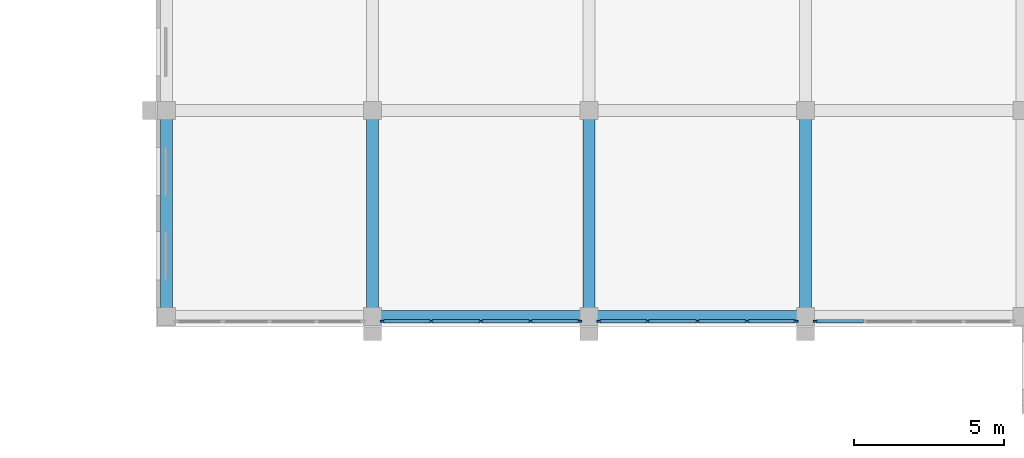
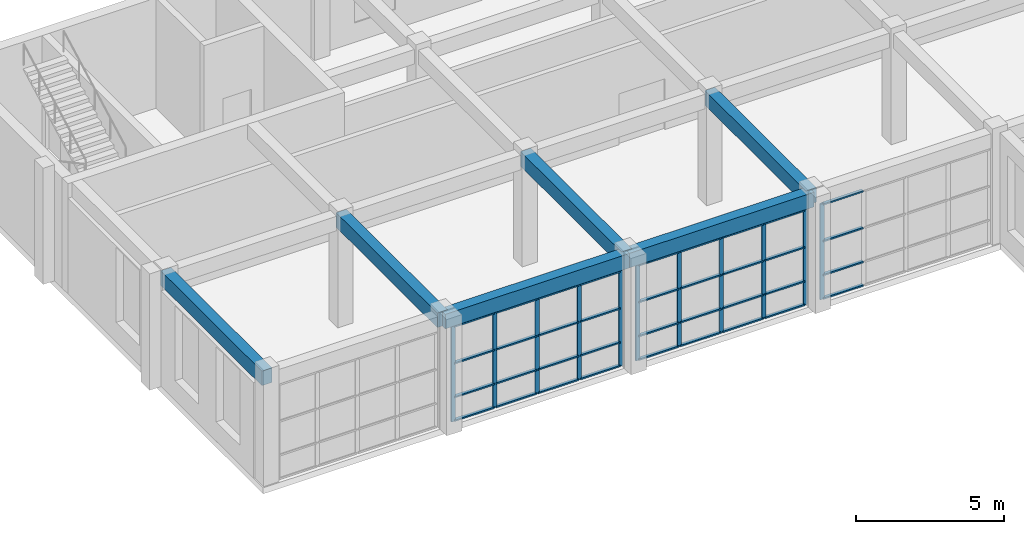
# One storey, part 103 of 149: 47 members, 6 beams, 3 elements without a shape of their own.
"""IFC4 building model written with IfcOpenShell, lengths in metres."""

from ifc_helpers import new_model, si_unit, direction, frame, origin, origin_2d, place, context, subcontext, project, spatial, rectangle, extrude, material, material_profile, profile_set, type_object, element, aggregate, save


model = new_model("IFC4")

# Units and contexts
model_context = context("Model", 3, precision=1e-05, world=origin(), true_north=direction((0.0, 1.0)))
body_context = subcontext(model_context, "Body", "Model", "MODEL_VIEW")
ifc_project = project(units=[si_unit("LENGTHUNIT", "METRE"), si_unit("AREAUNIT", "SQUARE_METRE"), si_unit("VOLUMEUNIT", "CUBIC_METRE"), si_unit("PLANEANGLEUNIT", "RADIAN"), si_unit("MASSUNIT", "GRAM", prefix="KILO")], contexts=[model_context])

# Site, building, storey
site_placement = place(None, origin())
site = spatial("IfcSite", under=ifc_project, at=site_placement, CompositionType="ELEMENT")
building_placement = place(site_placement, origin())
building = spatial("IfcBuilding", under=site, at=building_placement, Name="Alderwick Market Hall", CompositionType="ELEMENT")
storey_placement = place(building_placement, frame((0.0, 0.0, 9.60009765625)))
storey = spatial("IfcBuildingStorey", under=building, at=storey_placement, Name="L01", CompositionType="ELEMENT", Elevation=9.60009765625)

# Curtain wall, members
ifc_material_1 = material(Name="F Curtain Wall 1800 module")
curtain_wall_type = type_object("IfcCurtainWallType", Name="F Curtain Wall 1800 module", PredefinedType="NOTDEFINED", material=ifc_material_1)
curtain_wall_1_placement = place(storey_placement, origin())
curtain_wall_1 = element("IfcCurtainWall", 1, at=curtain_wall_1_placement, inside=storey, type_object=curtain_wall_type, Name="F.cw.L01.02", PredefinedType="NOTDEFINED")
ifc_material_2 = material(Name="Aluminium alloy 6063-T6", Category="aluminium")
ifc_material_profile_1 = material_profile(ifc_material_2, rectangle(XDim=0.06005859375, YDim=0.159912109375, at=origin_2d()), Name="AL 60x160")
ifc_profile_set_1 = profile_set([ifc_material_profile_1], Name="Aluminium alloy 6063-T6")
member_type_1 = type_object("IfcMemberType", Name="F Curtain Wall Mullion 60x160", PredefinedType="MULLION", material=ifc_profile_set_1)
member_1_placement = place(storey_placement, frame((172.469970703125, 129.800048828125, 0.0), z_axis=(0.0, 0.0, 1.0), x_axis=(0.0, -1.0, 0.0)))
member_1 = element("IfcMember", 2, at=member_1_placement, type_object=member_type_1, Name="F-CW mullion 1", PredefinedType="MULLION", context=body_context, shape_type="SweptSolid", body=[
    extrude(rectangle(XDim=0.06005859375, YDim=0.159912109375, at=origin_2d()), origin(), (0.0, 0.0, 1.0), 3.949951171875),
])
member_2_placement = place(storey_placement, frame((170.85009765625, 129.800048828125, 0.0), z_axis=(0.0, 0.0, 1.0), x_axis=(0.0, -1.0, 0.0)))
member_2 = element("IfcMember", 3, at=member_2_placement, type_object=member_type_1, Name="F-CW mullion 2", PredefinedType="MULLION", context=body_context, shape_type="SweptSolid", body=[
    extrude(rectangle(XDim=0.06005859375, YDim=0.159912109375, at=origin_2d()), origin(), (0.0, 0.0, 1.0), 3.949951171875),
])
member_3_placement = place(storey_placement, frame((169.199951171875, 129.800048828125, 0.0), z_axis=(0.0, 0.0, 1.0), x_axis=(0.0, -1.0, 0.0)))
member_3 = element("IfcMember", 4, at=member_3_placement, type_object=member_type_1, Name="F-CW mullion 3", PredefinedType="MULLION", context=body_context, shape_type="SweptSolid", body=[
    extrude(rectangle(XDim=0.06005859375, YDim=0.159912109375, at=origin_2d()), origin(), (0.0, 0.0, 1.0), 3.949951171875),
])
member_4_placement = place(storey_placement, frame((167.550048828125, 129.800048828125, 0.0), z_axis=(0.0, 0.0, 1.0), x_axis=(0.0, -1.0, 0.0)))
member_4 = element("IfcMember", 5, at=member_4_placement, type_object=member_type_1, Name="F-CW mullion 4", PredefinedType="MULLION", context=body_context, shape_type="SweptSolid", body=[
    extrude(rectangle(XDim=0.06005859375, YDim=0.159912109375, at=origin_2d()), origin(), (0.0, 0.0, 1.0), 3.949951171875),
])
member_5_placement = place(storey_placement, frame((165.929931640625, 129.800048828125, 0.0), z_axis=(0.0, 0.0, 1.0), x_axis=(0.0, -1.0, 0.0)))
member_5 = element("IfcMember", 6, at=member_5_placement, type_object=member_type_1, Name="F-CW mullion 5", PredefinedType="MULLION", context=body_context, shape_type="SweptSolid", body=[
    extrude(rectangle(XDim=0.06005859375, YDim=0.159912109375, at=origin_2d()), origin(), (0.0, 0.0, 1.0), 3.949951171875),
])

curtain_wall_2_placement = place(storey_placement, origin())
curtain_wall_2 = element("IfcCurtainWall", 7, at=curtain_wall_2_placement, inside=storey, type_object=curtain_wall_type, Name="F.cw.L01.03", PredefinedType="NOTDEFINED")
member_6_placement = place(storey_placement, frame((179.669921875, 129.800048828125, 0.0), z_axis=(0.0, 0.0, 1.0), x_axis=(0.0, -1.0, 0.0)))
member_6 = element("IfcMember", 8, at=member_6_placement, type_object=member_type_1, Name="F-CW mullion 1", PredefinedType="MULLION", context=body_context, shape_type="SweptSolid", body=[
    extrude(rectangle(XDim=0.06005859375, YDim=0.159912109375, at=origin_2d()), origin(), (0.0, 0.0, 1.0), 3.949951171875),
])
member_7_placement = place(storey_placement, frame((178.050048828125, 129.800048828125, 0.0), z_axis=(0.0, 0.0, 1.0), x_axis=(0.0, -1.0, 0.0)))
member_7 = element("IfcMember", 9, at=member_7_placement, type_object=member_type_1, Name="F-CW mullion 2", PredefinedType="MULLION", context=body_context, shape_type="SweptSolid", body=[
    extrude(rectangle(XDim=0.06005859375, YDim=0.159912109375, at=origin_2d()), origin(), (0.0, 0.0, 1.0), 3.949951171875),
])
member_8_placement = place(storey_placement, frame((176.39990234375, 129.800048828125, 0.0), z_axis=(0.0, 0.0, 1.0), x_axis=(0.0, -1.0, 0.0)))
member_8 = element("IfcMember", 10, at=member_8_placement, type_object=member_type_1, Name="F-CW mullion 3", PredefinedType="MULLION", context=body_context, shape_type="SweptSolid", body=[
    extrude(rectangle(XDim=0.06005859375, YDim=0.159912109375, at=origin_2d()), origin(), (0.0, 0.0, 1.0), 3.949951171875),
])
member_9_placement = place(storey_placement, frame((174.75, 129.800048828125, 0.0), z_axis=(0.0, 0.0, 1.0), x_axis=(0.0, -1.0, 0.0)))
member_9 = element("IfcMember", 11, at=member_9_placement, type_object=member_type_1, Name="F-CW mullion 4", PredefinedType="MULLION", context=body_context, shape_type="SweptSolid", body=[
    extrude(rectangle(XDim=0.06005859375, YDim=0.159912109375, at=origin_2d()), origin(), (0.0, 0.0, 1.0), 3.949951171875),
])
member_10_placement = place(storey_placement, frame((173.1298828125, 129.800048828125, 0.0), z_axis=(0.0, 0.0, 1.0), x_axis=(0.0, -1.0, 0.0)))
member_10 = element("IfcMember", 12, at=member_10_placement, type_object=member_type_1, Name="F-CW mullion 5", PredefinedType="MULLION", context=body_context, shape_type="SweptSolid", body=[
    extrude(rectangle(XDim=0.06005859375, YDim=0.159912109375, at=origin_2d()), origin(), (0.0, 0.0, 1.0), 3.949951171875),
])

# Curtain wall, member
curtain_wall_3_placement = place(storey_placement, origin())
curtain_wall_3 = element("IfcCurtainWall", 13, at=curtain_wall_3_placement, inside=storey, type_object=curtain_wall_type, Name="F.cw.L01.04", PredefinedType="NOTDEFINED")
member_11_placement = place(storey_placement, frame((180.330078125, 129.800048828125, 0.0), z_axis=(0.0, 0.0, 1.0), x_axis=(0.0, -1.0, 0.0)))
member_11 = element("IfcMember", 14, at=member_11_placement, type_object=member_type_1, Name="F-CW mullion 5", PredefinedType="MULLION", context=body_context, shape_type="SweptSolid", body=[
    extrude(rectangle(XDim=0.06005859375, YDim=0.159912109375, at=origin_2d()), origin(), (0.0, 0.0, 1.0), 3.949951171875),
])

# Member
ifc_material_profile_2 = material_profile(ifc_material_2, rectangle(XDim=0.1201171875, YDim=0.06005859375, at=origin_2d()), Name="AL 60x120")
ifc_profile_set_2 = profile_set([ifc_material_profile_2], Name="Aluminium alloy 6063-T6")
member_type_2 = type_object("IfcMemberType", Name="F Curtain Wall Transom 60x120", PredefinedType="USERDEFINED", material=ifc_profile_set_2)
member_12_placement = place(storey_placement, frame((172.43994140625, 129.800048828125, 0.02978515625), z_axis=(-1.0, 0.0, 0.0), x_axis=(0.0, -1.0, 0.0)))
member_12 = element("IfcMember", 15, at=member_12_placement, type_object=member_type_2, Name="F-CW transom 1.1", ObjectType="TRANSOM", PredefinedType="USERDEFINED", context=body_context, shape_type="SweptSolid", body=[
    extrude(rectangle(XDim=0.1201171875, YDim=0.06005859375, at=origin_2d()), origin(), (0.0, 0.0, 1.0), 1.56005859375),
])

member_13_placement = place(storey_placement, frame((172.43994140625, 129.800048828125, 1.0), z_axis=(-1.0, 0.0, 0.0), x_axis=(0.0, -1.0, 0.0)))
member_13 = element("IfcMember", 16, at=member_13_placement, type_object=member_type_2, Name="F-CW transom 1.2", ObjectType="TRANSOM", PredefinedType="USERDEFINED", context=body_context, shape_type="SweptSolid", body=[
    extrude(rectangle(XDim=0.1201171875, YDim=0.06005859375, at=origin_2d()), origin(), (0.0, 0.0, 1.0), 1.56005859375),
])

member_14_placement = place(storey_placement, frame((172.43994140625, 129.800048828125, 2.39990234375), z_axis=(-1.0, 0.0, 0.0), x_axis=(0.0, -1.0, 0.0)))
member_14 = element("IfcMember", 17, at=member_14_placement, type_object=member_type_2, Name="F-CW transom 1.3", ObjectType="TRANSOM", PredefinedType="USERDEFINED", context=body_context, shape_type="SweptSolid", body=[
    extrude(rectangle(XDim=0.1201171875, YDim=0.06005859375, at=origin_2d()), origin(), (0.0, 0.0, 1.0), 1.56005859375),
])

member_15_placement = place(storey_placement, frame((172.43994140625, 129.800048828125, 3.919921875), z_axis=(-1.0, 0.0, 0.0), x_axis=(0.0, -1.0, 0.0)))
member_15 = element("IfcMember", 18, at=member_15_placement, type_object=member_type_2, Name="F-CW transom 1.4", ObjectType="TRANSOM", PredefinedType="USERDEFINED", context=body_context, shape_type="SweptSolid", body=[
    extrude(rectangle(XDim=0.1201171875, YDim=0.06005859375, at=origin_2d()), origin(), (0.0, 0.0, 1.0), 1.56005859375),
])

member_16_placement = place(storey_placement, frame((170.820068359375, 129.800048828125, 0.02978515625), z_axis=(-1.0, 0.0, 0.0), x_axis=(0.0, -1.0, 0.0)))
member_16 = element("IfcMember", 19, at=member_16_placement, type_object=member_type_2, Name="F-CW transom 2.1", ObjectType="TRANSOM", PredefinedType="USERDEFINED", context=body_context, shape_type="SweptSolid", body=[
    extrude(rectangle(XDim=0.1201171875, YDim=0.06005859375, at=origin_2d()), origin(), (0.0, 0.0, 1.0), 1.590087890625),
])

member_17_placement = place(storey_placement, frame((170.820068359375, 129.800048828125, 1.0), z_axis=(-1.0, 0.0, 0.0), x_axis=(0.0, -1.0, 0.0)))
member_17 = element("IfcMember", 20, at=member_17_placement, type_object=member_type_2, Name="F-CW transom 2.2", ObjectType="TRANSOM", PredefinedType="USERDEFINED", context=body_context, shape_type="SweptSolid", body=[
    extrude(rectangle(XDim=0.1201171875, YDim=0.06005859375, at=origin_2d()), origin(), (0.0, 0.0, 1.0), 1.590087890625),
])

member_18_placement = place(storey_placement, frame((170.820068359375, 129.800048828125, 2.39990234375), z_axis=(-1.0, 0.0, 0.0), x_axis=(0.0, -1.0, 0.0)))
member_18 = element("IfcMember", 21, at=member_18_placement, type_object=member_type_2, Name="F-CW transom 2.3", ObjectType="TRANSOM", PredefinedType="USERDEFINED", context=body_context, shape_type="SweptSolid", body=[
    extrude(rectangle(XDim=0.1201171875, YDim=0.06005859375, at=origin_2d()), origin(), (0.0, 0.0, 1.0), 1.590087890625),
])

member_19_placement = place(storey_placement, frame((170.820068359375, 129.800048828125, 3.919921875), z_axis=(-1.0, 0.0, 0.0), x_axis=(0.0, -1.0, 0.0)))
member_19 = element("IfcMember", 22, at=member_19_placement, type_object=member_type_2, Name="F-CW transom 2.4", ObjectType="TRANSOM", PredefinedType="USERDEFINED", context=body_context, shape_type="SweptSolid", body=[
    extrude(rectangle(XDim=0.1201171875, YDim=0.06005859375, at=origin_2d()), origin(), (0.0, 0.0, 1.0), 1.590087890625),
])

member_20_placement = place(storey_placement, frame((169.169921875, 129.800048828125, 0.02978515625), z_axis=(-1.0, 0.0, 0.0), x_axis=(0.0, -1.0, 0.0)))
member_20 = element("IfcMember", 23, at=member_20_placement, type_object=member_type_2, Name="F-CW transom 3.1", ObjectType="TRANSOM", PredefinedType="USERDEFINED", context=body_context, shape_type="SweptSolid", body=[
    extrude(rectangle(XDim=0.1201171875, YDim=0.06005859375, at=origin_2d()), origin(), (0.0, 0.0, 1.0), 1.58984375),
])

member_21_placement = place(storey_placement, frame((169.169921875, 129.800048828125, 1.0), z_axis=(-1.0, 0.0, 0.0), x_axis=(0.0, -1.0, 0.0)))
member_21 = element("IfcMember", 24, at=member_21_placement, type_object=member_type_2, Name="F-CW transom 3.2", ObjectType="TRANSOM", PredefinedType="USERDEFINED", context=body_context, shape_type="SweptSolid", body=[
    extrude(rectangle(XDim=0.1201171875, YDim=0.06005859375, at=origin_2d()), origin(), (0.0, 0.0, 1.0), 1.58984375),
])

member_22_placement = place(storey_placement, frame((169.169921875, 129.800048828125, 2.39990234375), z_axis=(-1.0, 0.0, 0.0), x_axis=(0.0, -1.0, 0.0)))
member_22 = element("IfcMember", 25, at=member_22_placement, type_object=member_type_2, Name="F-CW transom 3.3", ObjectType="TRANSOM", PredefinedType="USERDEFINED", context=body_context, shape_type="SweptSolid", body=[
    extrude(rectangle(XDim=0.1201171875, YDim=0.06005859375, at=origin_2d()), origin(), (0.0, 0.0, 1.0), 1.58984375),
])

member_23_placement = place(storey_placement, frame((169.169921875, 129.800048828125, 3.919921875), z_axis=(-1.0, 0.0, 0.0), x_axis=(0.0, -1.0, 0.0)))
member_23 = element("IfcMember", 26, at=member_23_placement, type_object=member_type_2, Name="F-CW transom 3.4", ObjectType="TRANSOM", PredefinedType="USERDEFINED", context=body_context, shape_type="SweptSolid", body=[
    extrude(rectangle(XDim=0.1201171875, YDim=0.06005859375, at=origin_2d()), origin(), (0.0, 0.0, 1.0), 1.58984375),
])

member_24_placement = place(storey_placement, frame((167.52001953125, 129.800048828125, 0.02978515625), z_axis=(-1.0, 0.0, 0.0), x_axis=(0.0, -1.0, 0.0)))
member_24 = element("IfcMember", 27, at=member_24_placement, type_object=member_type_2, Name="F-CW transom 4.1", ObjectType="TRANSOM", PredefinedType="USERDEFINED", context=body_context, shape_type="SweptSolid", body=[
    extrude(rectangle(XDim=0.1201171875, YDim=0.06005859375, at=origin_2d()), origin(), (0.0, 0.0, 1.0), 1.56005859375),
])

member_25_placement = place(storey_placement, frame((167.52001953125, 129.800048828125, 1.0), z_axis=(-1.0, 0.0, 0.0), x_axis=(0.0, -1.0, 0.0)))
member_25 = element("IfcMember", 28, at=member_25_placement, type_object=member_type_2, Name="F-CW transom 4.2", ObjectType="TRANSOM", PredefinedType="USERDEFINED", context=body_context, shape_type="SweptSolid", body=[
    extrude(rectangle(XDim=0.1201171875, YDim=0.06005859375, at=origin_2d()), origin(), (0.0, 0.0, 1.0), 1.56005859375),
])

member_26_placement = place(storey_placement, frame((167.52001953125, 129.800048828125, 2.39990234375), z_axis=(-1.0, 0.0, 0.0), x_axis=(0.0, -1.0, 0.0)))
member_26 = element("IfcMember", 29, at=member_26_placement, type_object=member_type_2, Name="F-CW transom 4.3", ObjectType="TRANSOM", PredefinedType="USERDEFINED", context=body_context, shape_type="SweptSolid", body=[
    extrude(rectangle(XDim=0.1201171875, YDim=0.06005859375, at=origin_2d()), origin(), (0.0, 0.0, 1.0), 1.56005859375),
])

member_27_placement = place(storey_placement, frame((167.52001953125, 129.800048828125, 3.919921875), z_axis=(-1.0, 0.0, 0.0), x_axis=(0.0, -1.0, 0.0)))
member_27 = element("IfcMember", 30, at=member_27_placement, type_object=member_type_2, Name="F-CW transom 4.4", ObjectType="TRANSOM", PredefinedType="USERDEFINED", context=body_context, shape_type="SweptSolid", body=[
    extrude(rectangle(XDim=0.1201171875, YDim=0.06005859375, at=origin_2d()), origin(), (0.0, 0.0, 1.0), 1.56005859375),
])

aggregate(curtain_wall_1, [member_1, member_2, member_3, member_4, member_5, member_12, member_13, member_14, member_15, member_16, member_17, member_18, member_19, member_20, member_21, member_22, member_23, member_24, member_25, member_26, member_27])

member_28_placement = place(storey_placement, frame((179.639892578125, 129.800048828125, 0.02978515625), z_axis=(-1.0, 0.0, 0.0), x_axis=(0.0, -1.0, 0.0)))
member_28 = element("IfcMember", 31, at=member_28_placement, type_object=member_type_2, Name="F-CW transom 1.1", ObjectType="TRANSOM", PredefinedType="USERDEFINED", context=body_context, shape_type="SweptSolid", body=[
    extrude(rectangle(XDim=0.1201171875, YDim=0.06005859375, at=origin_2d()), origin(), (0.0, 0.0, 1.0), 1.559814453125),
])

member_29_placement = place(storey_placement, frame((179.639892578125, 129.800048828125, 1.0), z_axis=(-1.0, 0.0, 0.0), x_axis=(0.0, -1.0, 0.0)))
member_29 = element("IfcMember", 32, at=member_29_placement, type_object=member_type_2, Name="F-CW transom 1.2", ObjectType="TRANSOM", PredefinedType="USERDEFINED", context=body_context, shape_type="SweptSolid", body=[
    extrude(rectangle(XDim=0.1201171875, YDim=0.06005859375, at=origin_2d()), origin(), (0.0, 0.0, 1.0), 1.559814453125),
])

member_30_placement = place(storey_placement, frame((179.639892578125, 129.800048828125, 2.39990234375), z_axis=(-1.0, 0.0, 0.0), x_axis=(0.0, -1.0, 0.0)))
member_30 = element("IfcMember", 33, at=member_30_placement, type_object=member_type_2, Name="F-CW transom 1.3", ObjectType="TRANSOM", PredefinedType="USERDEFINED", context=body_context, shape_type="SweptSolid", body=[
    extrude(rectangle(XDim=0.1201171875, YDim=0.06005859375, at=origin_2d()), origin(), (0.0, 0.0, 1.0), 1.559814453125),
])

member_31_placement = place(storey_placement, frame((179.639892578125, 129.800048828125, 3.919921875), z_axis=(-1.0, 0.0, 0.0), x_axis=(0.0, -1.0, 0.0)))
member_31 = element("IfcMember", 34, at=member_31_placement, type_object=member_type_2, Name="F-CW transom 1.4", ObjectType="TRANSOM", PredefinedType="USERDEFINED", context=body_context, shape_type="SweptSolid", body=[
    extrude(rectangle(XDim=0.1201171875, YDim=0.06005859375, at=origin_2d()), origin(), (0.0, 0.0, 1.0), 1.559814453125),
])

member_32_placement = place(storey_placement, frame((178.02001953125, 129.800048828125, 0.02978515625), z_axis=(-1.0, 0.0, 0.0), x_axis=(0.0, -1.0, 0.0)))
member_32 = element("IfcMember", 35, at=member_32_placement, type_object=member_type_2, Name="F-CW transom 2.1", ObjectType="TRANSOM", PredefinedType="USERDEFINED", context=body_context, shape_type="SweptSolid", body=[
    extrude(rectangle(XDim=0.1201171875, YDim=0.06005859375, at=origin_2d()), origin(), (0.0, 0.0, 1.0), 1.590087890625),
])

member_33_placement = place(storey_placement, frame((178.02001953125, 129.800048828125, 1.0), z_axis=(-1.0, 0.0, 0.0), x_axis=(0.0, -1.0, 0.0)))
member_33 = element("IfcMember", 36, at=member_33_placement, type_object=member_type_2, Name="F-CW transom 2.2", ObjectType="TRANSOM", PredefinedType="USERDEFINED", context=body_context, shape_type="SweptSolid", body=[
    extrude(rectangle(XDim=0.1201171875, YDim=0.06005859375, at=origin_2d()), origin(), (0.0, 0.0, 1.0), 1.590087890625),
])

member_34_placement = place(storey_placement, frame((178.02001953125, 129.800048828125, 2.39990234375), z_axis=(-1.0, 0.0, 0.0), x_axis=(0.0, -1.0, 0.0)))
member_34 = element("IfcMember", 37, at=member_34_placement, type_object=member_type_2, Name="F-CW transom 2.3", ObjectType="TRANSOM", PredefinedType="USERDEFINED", context=body_context, shape_type="SweptSolid", body=[
    extrude(rectangle(XDim=0.1201171875, YDim=0.06005859375, at=origin_2d()), origin(), (0.0, 0.0, 1.0), 1.590087890625),
])

member_35_placement = place(storey_placement, frame((178.02001953125, 129.800048828125, 3.919921875), z_axis=(-1.0, 0.0, 0.0), x_axis=(0.0, -1.0, 0.0)))
member_35 = element("IfcMember", 38, at=member_35_placement, type_object=member_type_2, Name="F-CW transom 2.4", ObjectType="TRANSOM", PredefinedType="USERDEFINED", context=body_context, shape_type="SweptSolid", body=[
    extrude(rectangle(XDim=0.1201171875, YDim=0.06005859375, at=origin_2d()), origin(), (0.0, 0.0, 1.0), 1.590087890625),
])

member_36_placement = place(storey_placement, frame((176.3701171875, 129.800048828125, 0.02978515625), z_axis=(-1.0, 0.0, 0.0), x_axis=(0.0, -1.0, 0.0)))
member_36 = element("IfcMember", 39, at=member_36_placement, type_object=member_type_2, Name="F-CW transom 3.1", ObjectType="TRANSOM", PredefinedType="USERDEFINED", context=body_context, shape_type="SweptSolid", body=[
    extrude(rectangle(XDim=0.1201171875, YDim=0.06005859375, at=origin_2d()), origin(), (0.0, 0.0, 1.0), 1.590087890625),
])

member_37_placement = place(storey_placement, frame((176.3701171875, 129.800048828125, 1.0), z_axis=(-1.0, 0.0, 0.0), x_axis=(0.0, -1.0, 0.0)))
member_37 = element("IfcMember", 40, at=member_37_placement, type_object=member_type_2, Name="F-CW transom 3.2", ObjectType="TRANSOM", PredefinedType="USERDEFINED", context=body_context, shape_type="SweptSolid", body=[
    extrude(rectangle(XDim=0.1201171875, YDim=0.06005859375, at=origin_2d()), origin(), (0.0, 0.0, 1.0), 1.590087890625),
])

member_38_placement = place(storey_placement, frame((176.3701171875, 129.800048828125, 2.39990234375), z_axis=(-1.0, 0.0, 0.0), x_axis=(0.0, -1.0, 0.0)))
member_38 = element("IfcMember", 41, at=member_38_placement, type_object=member_type_2, Name="F-CW transom 3.3", ObjectType="TRANSOM", PredefinedType="USERDEFINED", context=body_context, shape_type="SweptSolid", body=[
    extrude(rectangle(XDim=0.1201171875, YDim=0.06005859375, at=origin_2d()), origin(), (0.0, 0.0, 1.0), 1.590087890625),
])

member_39_placement = place(storey_placement, frame((176.3701171875, 129.800048828125, 3.919921875), z_axis=(-1.0, 0.0, 0.0), x_axis=(0.0, -1.0, 0.0)))
member_39 = element("IfcMember", 42, at=member_39_placement, type_object=member_type_2, Name="F-CW transom 3.4", ObjectType="TRANSOM", PredefinedType="USERDEFINED", context=body_context, shape_type="SweptSolid", body=[
    extrude(rectangle(XDim=0.1201171875, YDim=0.06005859375, at=origin_2d()), origin(), (0.0, 0.0, 1.0), 1.590087890625),
])

member_40_placement = place(storey_placement, frame((174.719970703125, 129.800048828125, 0.02978515625), z_axis=(-1.0, 0.0, 0.0), x_axis=(0.0, -1.0, 0.0)))
member_40 = element("IfcMember", 43, at=member_40_placement, type_object=member_type_2, Name="F-CW transom 4.1", ObjectType="TRANSOM", PredefinedType="USERDEFINED", context=body_context, shape_type="SweptSolid", body=[
    extrude(rectangle(XDim=0.1201171875, YDim=0.06005859375, at=origin_2d()), origin(), (0.0, 0.0, 1.0), 1.56005859375),
])

member_41_placement = place(storey_placement, frame((174.719970703125, 129.800048828125, 1.0), z_axis=(-1.0, 0.0, 0.0), x_axis=(0.0, -1.0, 0.0)))
member_41 = element("IfcMember", 44, at=member_41_placement, type_object=member_type_2, Name="F-CW transom 4.2", ObjectType="TRANSOM", PredefinedType="USERDEFINED", context=body_context, shape_type="SweptSolid", body=[
    extrude(rectangle(XDim=0.1201171875, YDim=0.06005859375, at=origin_2d()), origin(), (0.0, 0.0, 1.0), 1.56005859375),
])

member_42_placement = place(storey_placement, frame((174.719970703125, 129.800048828125, 2.39990234375), z_axis=(-1.0, 0.0, 0.0), x_axis=(0.0, -1.0, 0.0)))
member_42 = element("IfcMember", 45, at=member_42_placement, type_object=member_type_2, Name="F-CW transom 4.3", ObjectType="TRANSOM", PredefinedType="USERDEFINED", context=body_context, shape_type="SweptSolid", body=[
    extrude(rectangle(XDim=0.1201171875, YDim=0.06005859375, at=origin_2d()), origin(), (0.0, 0.0, 1.0), 1.56005859375),
])

member_43_placement = place(storey_placement, frame((174.719970703125, 129.800048828125, 3.919921875), z_axis=(-1.0, 0.0, 0.0), x_axis=(0.0, -1.0, 0.0)))
member_43 = element("IfcMember", 46, at=member_43_placement, type_object=member_type_2, Name="F-CW transom 4.4", ObjectType="TRANSOM", PredefinedType="USERDEFINED", context=body_context, shape_type="SweptSolid", body=[
    extrude(rectangle(XDim=0.1201171875, YDim=0.06005859375, at=origin_2d()), origin(), (0.0, 0.0, 1.0), 1.56005859375),
])

aggregate(curtain_wall_2, [member_6, member_7, member_8, member_9, member_10, member_28, member_29, member_30, member_31, member_32, member_33, member_34, member_35, member_36, member_37, member_38, member_39, member_40, member_41, member_42, member_43])

member_44_placement = place(storey_placement, frame((181.919921875, 129.800048828125, 0.02978515625), z_axis=(-1.0, 0.0, 0.0), x_axis=(0.0, -1.0, 0.0)))
member_44 = element("IfcMember", 47, at=member_44_placement, type_object=member_type_2, Name="F-CW transom 4.1", ObjectType="TRANSOM", PredefinedType="USERDEFINED", context=body_context, shape_type="SweptSolid", body=[
    extrude(rectangle(XDim=0.1201171875, YDim=0.06005859375, at=origin_2d()), origin(), (0.0, 0.0, 1.0), 1.559814453125),
])

member_45_placement = place(storey_placement, frame((181.919921875, 129.800048828125, 1.0), z_axis=(-1.0, 0.0, 0.0), x_axis=(0.0, -1.0, 0.0)))
member_45 = element("IfcMember", 48, at=member_45_placement, type_object=member_type_2, Name="F-CW transom 4.2", ObjectType="TRANSOM", PredefinedType="USERDEFINED", context=body_context, shape_type="SweptSolid", body=[
    extrude(rectangle(XDim=0.1201171875, YDim=0.06005859375, at=origin_2d()), origin(), (0.0, 0.0, 1.0), 1.559814453125),
])

member_46_placement = place(storey_placement, frame((181.919921875, 129.800048828125, 2.39990234375), z_axis=(-1.0, 0.0, 0.0), x_axis=(0.0, -1.0, 0.0)))
member_46 = element("IfcMember", 49, at=member_46_placement, type_object=member_type_2, Name="F-CW transom 4.3", ObjectType="TRANSOM", PredefinedType="USERDEFINED", context=body_context, shape_type="SweptSolid", body=[
    extrude(rectangle(XDim=0.1201171875, YDim=0.06005859375, at=origin_2d()), origin(), (0.0, 0.0, 1.0), 1.559814453125),
])

member_47_placement = place(storey_placement, frame((181.919921875, 129.800048828125, 3.919921875), z_axis=(-1.0, 0.0, 0.0), x_axis=(0.0, -1.0, 0.0)))
member_47 = element("IfcMember", 50, at=member_47_placement, type_object=member_type_2, Name="F-CW transom 4.4", ObjectType="TRANSOM", PredefinedType="USERDEFINED", context=body_context, shape_type="SweptSolid", body=[
    extrude(rectangle(XDim=0.1201171875, YDim=0.06005859375, at=origin_2d()), origin(), (0.0, 0.0, 1.0), 1.559814453125),
])

aggregate(curtain_wall_3, [member_11, member_44, member_45, member_46, member_47])

# Beams
ifc_material_3 = material(Name="Concrete 5000 psi (f'c 35 MPa)", Category="concrete")
ifc_material_profile_3 = material_profile(ifc_material_3, rectangle(XDim=0.39990234375, YDim=0.60009765625, at=origin_2d()), Name="RC 400x600")
ifc_profile_set_3 = profile_set([ifc_material_profile_3], Name="Concrete 5000 psi (f'c 35 MPa)")
beam_type = type_object("IfcBeamType", Name="F Floor Beam RC 400x600", PredefinedType="BEAM", material=ifc_profile_set_3)
for number, where, z_axis, x_axis, name in (
    (51, (165.60009765625, 129.949951171875, 4.25), (1.0, 0.0, 0.0), (0.0, 1.0, 0.0), "F.beam.L01.002"),
    (52, (172.800048828125, 129.949951171875, 4.25), (1.0, 0.0, 0.0), (0.0, 1.0, 0.0), "F.beam.L01.003"),
):
    element("IfcBeam", number, at=place(storey_placement, frame(where, z_axis=z_axis, x_axis=x_axis)), inside=storey, type_object=beam_type, Name=name, PredefinedType="BEAM", context=body_context, shape_type="SweptSolid", body=[
        extrude(rectangle(XDim=0.39990234375, YDim=0.60009765625, at=origin_2d()), origin(), (0.0, 0.0, 1.0), 7.199951171875),
    ])
for number, where, z_axis, x_axis, name in (
    (53, (158.75, 129.949951171875, 4.25), (0.0, 1.0, 0.0), (-1.0, 0.0, 0.0), "F.beam.L01.037"),
    (54, (165.60009765625, 129.949951171875, 4.25), (0.0, 1.0, 0.0), (-1.0, 0.0, 0.0), "F.beam.L01.039"),
    (55, (172.800048828125, 129.949951171875, 4.25), (0.0, 1.0, 0.0), (-1.0, 0.0, 0.0), "F.beam.L01.041"),
    (56, (180.0, 129.949951171875, 4.25), (0.0, 1.0, 0.0), (-1.0, 0.0, 0.0), "F.beam.L01.044"),
):
    element("IfcBeam", number, at=place(storey_placement, frame(where, z_axis=z_axis, x_axis=x_axis)), inside=storey, type_object=beam_type, Name=name, PredefinedType="BEAM", context=body_context, shape_type="SweptSolid", body=[
        extrude(rectangle(XDim=0.39990234375, YDim=0.60009765625, at=origin_2d()), origin(), (0.0, 0.0, 1.0), 6.85009765625),
    ])

save(model, "model.ifc")
